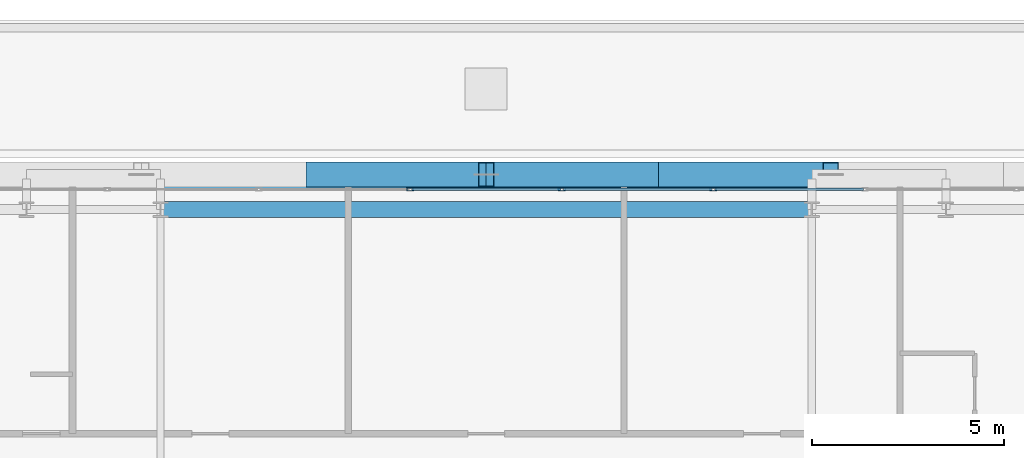
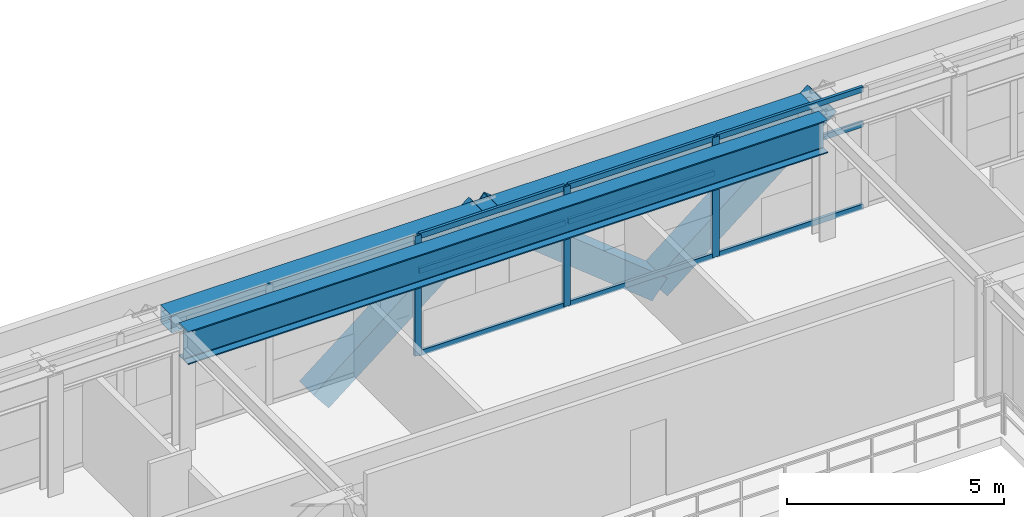
# One storey, part 18 of 34: 15 members, 2 beams, 1 element without a shape of its own.
"""IFC4 building model written with IfcOpenShell, lengths in metres."""

from ifc_helpers import new_model, si_unit, direction, frame, origin, origin_2d, place, context, subcontext, project, spatial, hollow_rectangle, i_section, extrude, source, transform, mapped, material, layer, layer_set, material_profile, profile_set, type_object, element, aggregate, save


model = new_model("IFC4")

# Units and contexts
model_context = context("Model", 3, precision=1e-05, world=origin(), true_north=direction((0.0, 1.0)))
body_context = subcontext(model_context, "Body", "Model", "MODEL_VIEW")
ifc_project = project(units=[si_unit("LENGTHUNIT", "METRE"), si_unit("AREAUNIT", "SQUARE_METRE"), si_unit("VOLUMEUNIT", "CUBIC_METRE"), si_unit("PLANEANGLEUNIT", "RADIAN"), si_unit("MASSUNIT", "GRAM", prefix="KILO")], contexts=[model_context])

# Site, building, storey
site_placement = place(None, origin())
site = spatial("IfcSite", under=ifc_project, at=site_placement, CompositionType="ELEMENT")
building_placement = place(site_placement, origin())
building = spatial("IfcBuilding", under=site, at=building_placement, Name="Ocotamira Hotel", CompositionType="ELEMENT")
storey_placement = place(building_placement, frame((0.0, 0.0, 163.199951171875)))
storey = spatial("IfcBuildingStorey", under=building, at=storey_placement, Name="L40", CompositionType="ELEMENT", Elevation=163.199951171875)

# Beams
ifc_material_1 = material(Name="Steel ASTM A992 Grade 50", Category="steel")
ifc_material_profile_1 = material_profile(ifc_material_1, i_section(OverallWidth=0.41796875, OverallDepth=0.927001953125, WebThickness=0.019287109375, FlangeThickness=0.031982421875, FilletRadius=0.02392578125, at=origin_2d()), Name="W36X231")
ifc_profile_set_1 = profile_set([ifc_material_profile_1], Name="Steel ASTM A992 Grade 50")
beam_type_1 = type_object("IfcBeamType", Name="BM-GIRD-W36X231", PredefinedType="BEAM", material=ifc_profile_set_1)
shared_shape_1 = source(origin(), body_context, "Body", "SweptSolid", [
    extrude(i_section(OverallWidth=0.41796875, OverallDepth=0.927001953125, WebThickness=0.019287109375, FlangeThickness=0.031982421875, FilletRadius=0.02392578125, at=origin_2d()), origin(), (0.0, 0.0, 1.0), 17.0),
])
beam_1_placement = place(storey_placement, frame((23.5, 45.050048828125, 2.906494140625), z_axis=(1.0, 0.0, 0.0), x_axis=(0.0, 1.0, 0.0)))
element("IfcBeam", 1, at=beam_1_placement, inside=storey, type_object=beam_type_1, Name="L40 Girder Y45.05 X23.5-40.5", PredefinedType="BEAM", context=body_context, shape_type="MappedRepresentation", body=[
    mapped(shared_shape_1, transform((0.0, 0.0, 0.0), scale=1.0)),
])
ifc_material_2 = material(Name="Steel ASTM A500 Grade C", Category="steel")
ifc_material_profile_2 = material_profile(ifc_material_2, hollow_rectangle(XDim=0.5, YDim=0.5, WallThickness=0.02001953125, at=origin_2d()), Name="HSS500X500X20")
ifc_profile_set_2 = profile_set([ifc_material_profile_2], Name="Steel ASTM A500 Grade C")
beam_type_2 = type_object("IfcBeamType", Name="BM-SPAN-HSS500", PredefinedType="USERDEFINED", material=ifc_profile_set_2)
shared_shape_2 = source(origin(), body_context, "Body", "SweptSolid", [
    extrude(hollow_rectangle(XDim=0.5, YDim=0.5, WallThickness=0.02001953125, at=origin_2d()), origin(), (0.0, 0.0, 1.0), 17.0),
])
beam_2_placement = place(storey_placement, frame((23.5, 45.85009765625, 3.1201171875), z_axis=(1.0, 0.0, 0.0), x_axis=(0.0, 1.0, 0.0)))
element("IfcBeam", 2, at=beam_2_placement, inside=storey, type_object=beam_type_2, Name="L40 Edge Spandrel N X23.5-40.5", ObjectType="SPANDREL", PredefinedType="USERDEFINED", context=body_context, shape_type="MappedRepresentation", body=[
    mapped(shared_shape_2, transform((0.0, 0.0, 0.0), scale=1.0)),
])

# Members
ifc_material_3 = material(Name="Pale-metal coated steel ASTM A913 Grade 65", Category="steel")
ifc_material_profile_3 = material_profile(ifc_material_3, hollow_rectangle(XDim=0.64990234375, YDim=0.64990234375, WallThickness=0.02197265625, at=origin_2d()), Name="BOX650X650X22")
ifc_profile_set_3 = profile_set([ifc_material_profile_3], Name="Pale-metal coated steel ASTM A913 Grade 65")
member_type_1 = type_object("IfcMemberType", Name="MEM-EXO-BOX650", PredefinedType="BRACE", material=ifc_profile_set_3)
shared_shape_3 = source(origin(), body_context, "Body", "SweptSolid", [
    extrude(hollow_rectangle(XDim=0.64990234375, YDim=0.64990234375, WallThickness=0.02197265625, at=origin_2d()), origin(), (0.0, 0.0, 1.0), 5.762939453125),
])
for number, where, z_axis, x_axis, name in (
    (3, (27.5, 45.969970703125, -0.47998046875), (0.780860543151, 0.0, 0.624705380279), (0.0, 1.0, 0.0), "L40 Exoskeleton Diagrid N1.2"),
    (4, (36.5, 45.969970703125, -0.47998046875), (-0.780860543151, 0.0, 0.624705380279), (0.0, -1.0, 0.0), "L40 Exoskeleton Diagrid N2.1"),
    (5, (36.5, 45.969970703125, -0.47998046875), (0.780860543151, 0.0, 0.624705380279), (0.0, 1.0, 0.0), "L40 Exoskeleton Diagrid N2.2"),
):
    element("IfcMember", number, at=place(storey_placement, frame(where, z_axis=z_axis, x_axis=x_axis)), inside=storey, type_object=member_type_1, Name=name, PredefinedType="BRACE", context=body_context, shape_type="MappedRepresentation", body=[
        mapped(shared_shape_3, transform((0.0, 0.0, 0.0), scale=1.0)),
    ])

# Curtain wall, members
ifc_material_4 = material(Name="Anodised pale-metal aluminium and solar glass", Category="aluminium")
ifc_layer = layer(ifc_material_4, 0.199951171875)
ifc_layer_set = layer_set([ifc_layer], Name="Anodised pale-metal aluminium and solar glass")
curtain_wall_type = type_object("IfcCurtainWallType", Name="CW-SYS4-Z3", PredefinedType="NOTDEFINED", material=ifc_layer_set)
curtain_wall_placement = place(storey_placement, origin())
curtain_wall = element("IfcCurtainWall", 6, at=curtain_wall_placement, inside=storey, type_object=curtain_wall_type, Name="L40 Curtain Wall CW-4 CW-L40-N", PredefinedType="NOTDEFINED")
ifc_material_5 = material(Name="Anodised pale-metal aluminium 6063-T6", Category="aluminium")
ifc_material_profile_4 = material_profile(ifc_material_5, hollow_rectangle(XDim=0.074951171875, YDim=0.14990234375, WallThickness=0.006103515625, at=origin_2d()), Name="HSS150X75X6")
ifc_profile_set_4 = profile_set([ifc_material_profile_4], Name="Anodised pale-metal aluminium 6063-T6")
member_type_2 = type_object("IfcMemberType", Name="CWT-150X75", PredefinedType="USERDEFINED", material=ifc_profile_set_4)
shared_shape_4 = source(origin(), body_context, "Body", "SweptSolid", [
    extrude(hollow_rectangle(XDim=0.074951171875, YDim=0.14990234375, WallThickness=0.006103515625, at=origin_2d()), origin(), (0.0, 0.0, 1.0), 3.87548828125),
])
member_1_placement = place(storey_placement, frame((30.062255859375, 45.580078125, 0.03759765625), z_axis=(1.0, 0.0, 0.0), x_axis=(0.0, 1.0, 0.0)))
member_1 = element("IfcMember", 7, at=member_1_placement, type_object=member_type_2, Name="CW-4 transom 5.1", ObjectType="TRANSOM", PredefinedType="USERDEFINED", context=body_context, shape_type="MappedRepresentation", body=[
    mapped(shared_shape_4, transform((0.0, 0.0, 0.0), scale=1.0)),
])
member_2_placement = place(storey_placement, frame((30.062255859375, 45.580078125, 2.35009765625), z_axis=(1.0, 0.0, 0.0), x_axis=(0.0, 1.0, 0.0)))
member_2 = element("IfcMember", 8, at=member_2_placement, type_object=member_type_2, Name="CW-4 transom 5.2", ObjectType="TRANSOM", PredefinedType="USERDEFINED", context=body_context, shape_type="MappedRepresentation", body=[
    mapped(shared_shape_4, transform((0.0, 0.0, 0.0), scale=1.0)),
])
member_3_placement = place(storey_placement, frame((30.062255859375, 45.580078125, 3.33251953125), z_axis=(1.0, 0.0, 0.0), x_axis=(0.0, 1.0, 0.0)))
member_3 = element("IfcMember", 9, at=member_3_placement, type_object=member_type_2, Name="CW-4 transom 5.3", ObjectType="TRANSOM", PredefinedType="USERDEFINED", context=body_context, shape_type="MappedRepresentation", body=[
    mapped(shared_shape_4, transform((0.0, 0.0, 0.0), scale=1.0)),
])
member_4_placement = place(storey_placement, frame((34.017822265625, 45.580078125, 0.03759765625), z_axis=(1.0, 0.0, 0.0), x_axis=(0.0, 1.0, 0.0)))
member_4 = element("IfcMember", 10, at=member_4_placement, type_object=member_type_2, Name="CW-4 transom 6.1", ObjectType="TRANSOM", PredefinedType="USERDEFINED", context=body_context, shape_type="MappedRepresentation", body=[
    mapped(shared_shape_4, transform((0.0, 0.0, 0.0), scale=1.0)),
])
member_5_placement = place(storey_placement, frame((34.017822265625, 45.580078125, 2.35009765625), z_axis=(1.0, 0.0, 0.0), x_axis=(0.0, 1.0, 0.0)))
member_5 = element("IfcMember", 11, at=member_5_placement, type_object=member_type_2, Name="CW-4 transom 6.2", ObjectType="TRANSOM", PredefinedType="USERDEFINED", context=body_context, shape_type="MappedRepresentation", body=[
    mapped(shared_shape_4, transform((0.0, 0.0, 0.0), scale=1.0)),
])
member_6_placement = place(storey_placement, frame((34.017822265625, 45.580078125, 3.33251953125), z_axis=(1.0, 0.0, 0.0), x_axis=(0.0, 1.0, 0.0)))
member_6 = element("IfcMember", 12, at=member_6_placement, type_object=member_type_2, Name="CW-4 transom 6.3", ObjectType="TRANSOM", PredefinedType="USERDEFINED", context=body_context, shape_type="MappedRepresentation", body=[
    mapped(shared_shape_4, transform((0.0, 0.0, 0.0), scale=1.0)),
])
member_7_placement = place(storey_placement, frame((37.973388671875, 45.580078125, 0.03759765625), z_axis=(1.0, 0.0, 0.0), x_axis=(0.0, 1.0, 0.0)))
member_7 = element("IfcMember", 13, at=member_7_placement, type_object=member_type_2, Name="CW-4 transom 7.1", ObjectType="TRANSOM", PredefinedType="USERDEFINED", context=body_context, shape_type="MappedRepresentation", body=[
    mapped(shared_shape_4, transform((0.0, 0.0, 0.0), scale=1.0)),
])
member_8_placement = place(storey_placement, frame((37.973388671875, 45.580078125, 2.35009765625), z_axis=(1.0, 0.0, 0.0), x_axis=(0.0, 1.0, 0.0)))
member_8 = element("IfcMember", 14, at=member_8_placement, type_object=member_type_2, Name="CW-4 transom 7.2", ObjectType="TRANSOM", PredefinedType="USERDEFINED", context=body_context, shape_type="MappedRepresentation", body=[
    mapped(shared_shape_4, transform((0.0, 0.0, 0.0), scale=1.0)),
])
member_9_placement = place(storey_placement, frame((37.973388671875, 45.580078125, 3.33251953125), z_axis=(1.0, 0.0, 0.0), x_axis=(0.0, 1.0, 0.0)))
member_9 = element("IfcMember", 15, at=member_9_placement, type_object=member_type_2, Name="CW-4 transom 7.3", ObjectType="TRANSOM", PredefinedType="USERDEFINED", context=body_context, shape_type="MappedRepresentation", body=[
    mapped(shared_shape_4, transform((0.0, 0.0, 0.0), scale=1.0)),
])
ifc_material_profile_5 = material_profile(ifc_material_5, hollow_rectangle(XDim=0.080078125, YDim=0.179931640625, WallThickness=0.006103515625, at=origin_2d()), Name="HSS180X80X6")
ifc_profile_set_5 = profile_set([ifc_material_profile_5], Name="Anodised pale-metal aluminium 6063-T6")
member_type_3 = type_object("IfcMemberType", Name="CWM-180X75", PredefinedType="MULLION", material=ifc_profile_set_5)
shared_shape_5 = source(origin(), body_context, "Body", "SweptSolid", [
    extrude(hollow_rectangle(XDim=0.080078125, YDim=0.179931640625, WallThickness=0.006103515625, at=origin_2d()), origin(), (0.0, 0.0, 1.0), 3.3701171875),
])
member_10_placement = place(storey_placement, frame((30.022216796875, 45.580078125, 0.0), z_axis=(0.0, 0.0, 1.0), x_axis=(0.0, 1.0, 0.0)))
member_10 = element("IfcMember", 16, at=member_10_placement, type_object=member_type_3, Name="CW-4 mullion 5", PredefinedType="MULLION", context=body_context, shape_type="MappedRepresentation", body=[
    mapped(shared_shape_5, transform((0.0, 0.0, 0.0), scale=1.0)),
])
member_11_placement = place(storey_placement, frame((33.977783203125, 45.580078125, 0.0), z_axis=(0.0, 0.0, 1.0), x_axis=(0.0, 1.0, 0.0)))
member_11 = element("IfcMember", 17, at=member_11_placement, type_object=member_type_3, Name="CW-4 mullion 6", PredefinedType="MULLION", context=body_context, shape_type="MappedRepresentation", body=[
    mapped(shared_shape_5, transform((0.0, 0.0, 0.0), scale=1.0)),
])
member_12_placement = place(storey_placement, frame((37.933349609375, 45.580078125, 0.0), z_axis=(0.0, 0.0, 1.0), x_axis=(0.0, 1.0, 0.0)))
member_12 = element("IfcMember", 18, at=member_12_placement, type_object=member_type_3, Name="CW-4 mullion 7", PredefinedType="MULLION", context=body_context, shape_type="MappedRepresentation", body=[
    mapped(shared_shape_5, transform((0.0, 0.0, 0.0), scale=1.0)),
])
aggregate(curtain_wall, [member_10, member_11, member_12, member_1, member_2, member_3, member_4, member_5, member_6, member_7, member_8, member_9])

save(model, "model.ifc")
